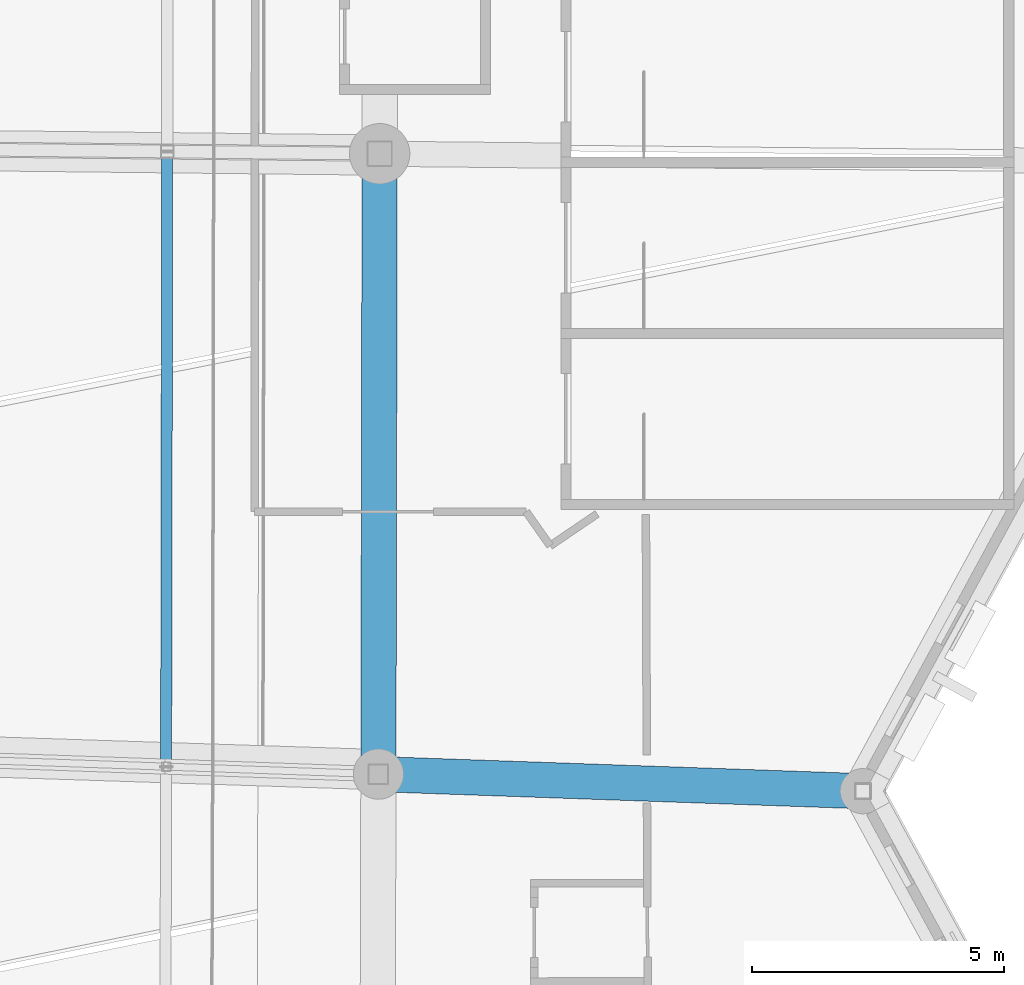
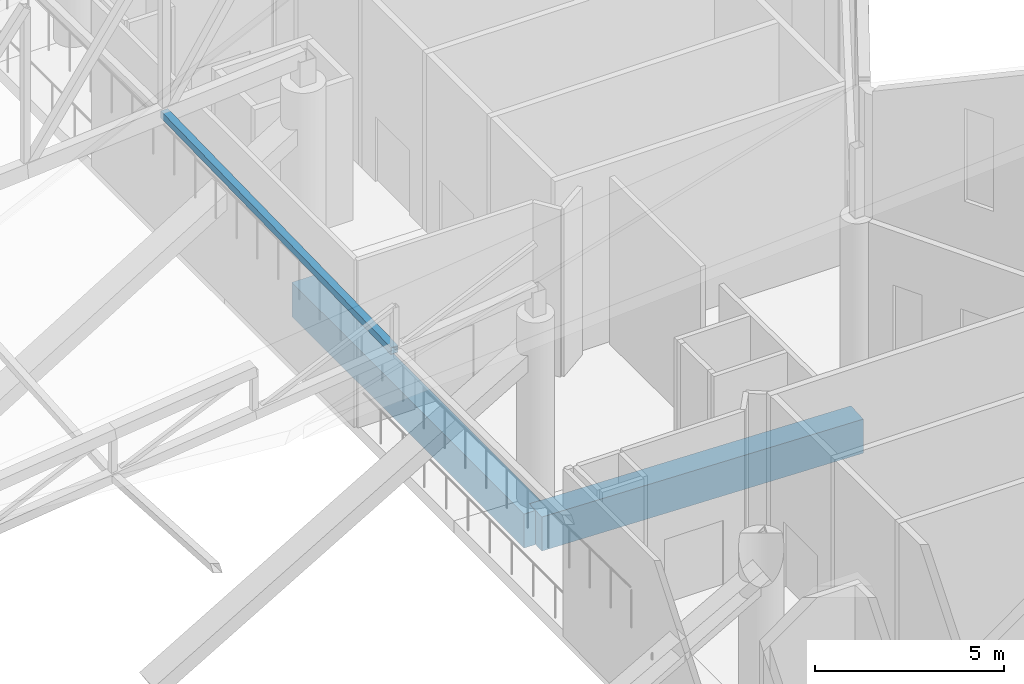
# One storey, part 105 of 344: 2 beams, 1 member.
"""IFC4 building model written with IfcOpenShell, lengths in metres."""

import ifcopenshell
import ifcopenshell.guid

model = None  # the IFC model being written
_history = None  # IfcOwnerHistory: only IFC2X3 demands one
_inside = {}  # id of a spatial element -> (the spatial element, [elements in it])
_under = {}  # id of a project, library or spatial element -> (it, [spatial elements below it])
_declared = {}  # id of a project -> (the project, [libraries it declares])
_typed = {}  # id of a type object -> (the type object, [elements of that type])
_made_of = {}  # id of a material, layer set ... -> (it, [elements and type objects made of it])


def new_model(schema):
    """Start an empty IFC model of exactly this schema.

    Asked for "IFC4X3", IfcOpenShell would pick the latest addendum, in which some entities
    have other attributes; the version numbers below select the first issue.
    IFC2X3 requires an IfcOwnerHistory on every rooted entity: one is made here for all.
    """
    global model, _history
    if schema == "IFC4X3":
        model = ifcopenshell.file(schema_version=(4, 3, 0, 0))
    else:
        model = ifcopenshell.file(schema=schema)
    _inside.clear()
    _under.clear()
    _declared.clear()
    _typed.clear()
    _made_of.clear()
    _history = None
    if model.schema == "IFC2X3":
        org = make("IfcOrganization", Name="unknown")
        user = make(
            "IfcPersonAndOrganization",
            ThePerson=make("IfcPerson", FamilyName="unknown"),
            TheOrganization=org,
        )
        app = make(
            "IfcApplication",
            ApplicationDeveloper=org,
            Version="unknown",
            ApplicationFullName="unknown",
            ApplicationIdentifier="unknown",
        )
        _history = make(
            "IfcOwnerHistory",
            OwningUser=user,
            OwningApplication=app,
            ChangeAction="ADDED",
            CreationDate=0,
        )
    return model


def make(cls, **values):
    """One entity of the class cls with the attributes given. An attribute that is None is left unset."""
    return model.create_entity(
        cls, **{name: value for name, value in values.items() if value is not None}
    )


def rooted(cls, **values):
    """An entity with a GlobalId (a new one), such as an element, a storey or a relation."""
    return make(cls, GlobalId=ifcopenshell.guid.new(), OwnerHistory=_history, **values)


def si_unit(unit_type, name, prefix=None):
    """IfcSIUnit, for example si_unit("LENGTHUNIT", "METRE", prefix="MILLI")."""
    return make("IfcSIUnit", UnitType=unit_type, Prefix=prefix, Name=name)


def assignment(units):
    """IfcUnitAssignment: the units of a project."""
    return None if units is None else make("IfcUnitAssignment", Units=units)


def point(xyz):
    """IfcCartesianPoint."""
    return None if xyz is None else make("IfcCartesianPoint", Coordinates=xyz)


def direction(xyz):
    """IfcDirection."""
    return None if xyz is None else make("IfcDirection", DirectionRatios=xyz)


def frame(location, z_axis=None, x_axis=None):
    """IfcAxis2Placement3D, a coordinate frame: its origin and axes. An axis left out is left unset."""
    return make(
        "IfcAxis2Placement3D",
        Location=point(location),
        Axis=direction(z_axis),
        RefDirection=direction(x_axis),
    )


def frame_2d(location, x_axis=None):
    """IfcAxis2Placement2D, a coordinate frame in the plane: its origin and x axis."""
    return make(
        "IfcAxis2Placement2D", Location=point(location), RefDirection=direction(x_axis)
    )


def origin():
    """The frame at (0, 0, 0) with its axes left unset."""
    return frame((0.0, 0.0, 0.0))


def origin_2d():
    """The frame at (0, 0) in the plane with its x axis left unset."""
    return frame_2d((0.0, 0.0))


def place(relative_to, where):
    """IfcLocalPlacement: puts the frame where relative to a parent placement (None: the world)."""
    return make(
        "IfcLocalPlacement", PlacementRelTo=relative_to, RelativePlacement=where
    )


def context(
    kind, dimensions, precision=None, world=None, true_north=None, identifier=None
):
    """IfcGeometricRepresentationContext, for example the 3D "Model" context."""
    return make(
        "IfcGeometricRepresentationContext",
        ContextIdentifier=identifier,
        ContextType=kind,
        CoordinateSpaceDimension=dimensions,
        Precision=precision,
        WorldCoordinateSystem=world,
        TrueNorth=true_north,
    )


def subcontext(parent, identifier, kind, view, scale=None):
    """IfcGeometricRepresentationSubContext, for example "Body" below "Model"."""
    return make(
        "IfcGeometricRepresentationSubContext",
        ContextIdentifier=identifier,
        ContextType=kind,
        ParentContext=parent,
        TargetScale=scale,
        TargetView=view,
    )


def project(units=None, contexts=None):
    """IfcProject with its units and contexts."""
    return rooted(
        "IfcProject",
        Name="project",
        RepresentationContexts=contexts,
        UnitsInContext=assignment(units),
    )


def spatial(cls, under=None, at=None, **own):
    """A site, building, storey or space (cls), placed at a placement, below another one or the project."""
    s = rooted(cls, ObjectPlacement=at, **own)
    if under is not None:
        _under.setdefault(under.id(), (under, []))[1].append(s)
    return s


def profile(cls, at=None, kind="AREA", **sizes):
    """A parametric profile (cls). Its sizes go by their IFC names, for example OverallWidth=200.0."""
    return make(cls, ProfileType=kind, Position=at, **sizes)


def rectangle(**sizes):
    """IfcRectangleProfileDef."""
    return profile("IfcRectangleProfileDef", **sizes)


def hollow_rectangle(**sizes):
    """IfcRectangleHollowProfileDef."""
    return profile("IfcRectangleHollowProfileDef", **sizes)


def extrude(swept, where, along, depth):
    """IfcExtrudedAreaSolid: the profile swept, set in the frame where, extruded along a direction by depth."""
    return make(
        "IfcExtrudedAreaSolid",
        SweptArea=swept,
        Position=where,
        ExtrudedDirection=direction(along),
        Depth=depth,
    )


def shape(context_of_items, identifier, shape_type, items):
    """IfcShapeRepresentation: the items that make up one representation, for example the "Body"."""
    return make(
        "IfcShapeRepresentation",
        ContextOfItems=context_of_items,
        RepresentationIdentifier=identifier,
        RepresentationType=shape_type,
        Items=items,
    )


def material(Name=None, Category=None):
    """IfcMaterial."""
    return make("IfcMaterial", Name=Name, Category=Category)


def material_profile(
    of_material, cross_section, Name=None, Category=None, Priority=None
):
    """IfcMaterialProfile: a cross section and its material."""
    return make(
        "IfcMaterialProfile",
        Name=Name,
        Material=of_material,
        Profile=cross_section,
        Priority=Priority,
        Category=Category,
    )


def profile_set(profiles, Name=None, composite=None):
    """IfcMaterialProfileSet."""
    return make(
        "IfcMaterialProfileSet",
        Name=Name,
        MaterialProfiles=profiles,
        CompositeProfile=composite,
    )


def made_of(thing, what):
    """Note that an element or type object is made of a material, layer set ...; save() writes the relation."""
    if what is not None:
        _made_of.setdefault(what.id(), (what, []))[1].append(thing)
    return thing


def type_object(cls, material=None, **own):
    """A type object (cls), such as IfcWallType, which elements share."""
    return made_of(rooted(cls, **own), material)


def element(
    cls,
    number,
    at=None,
    inside=None,
    cuts=None,
    type_object=None,
    material=None,
    context=None,
    identifier="Body",
    shape_type=None,
    held_by="IfcProductDefinitionShape",
    body=None,
    shapes=None,
    **own,
):
    """One element of the class cls, such as IfcWall. Its Tag is "e" and its number.

    at: its placement. inside: the storey or other place that contains it. cuts: it is an
    opening in that element (IfcRelVoidsElement). A single representation is given by context,
    identifier, shape_type and body (its items); several are given by shapes. held_by: the class
    of the entity that holds the representations. save() writes the other relations.
    """
    e = rooted(cls, Tag="e%d" % number, ObjectPlacement=at, **own)
    if body is not None:
        shapes = [shape(context, identifier, shape_type, body)]
    if shapes is not None:
        e.Representation = make(held_by, Representations=shapes)
    if inside is not None:
        _inside.setdefault(inside.id(), (inside, []))[1].append(e)
    if cuts is not None:
        rooted(
            "IfcRelVoidsElement", RelatingBuildingElement=cuts, RelatedOpeningElement=e
        )
    if type_object is not None:
        _typed.setdefault(type_object.id(), (type_object, []))[1].append(e)
    return made_of(e, material)


def aggregate(whole, parts):
    """IfcRelAggregates: a whole, such as a stair, and the parts it consists of."""
    return rooted("IfcRelAggregates", RelatingObject=whole, RelatedObjects=parts)


def save(model, path):
    """Write the relations noted so far, then the file.

    IfcRelAggregates (storeys below a building ...), IfcRelContainedInSpatialStructure (elements
    in a storey), IfcRelDefinesByType, IfcRelAssociatesMaterial and IfcRelDeclares: one each for
    every whole, place, type object, material and project.
    """
    for whole, parts in _under.values():
        aggregate(whole, parts)
    for where, things in _inside.values():
        rooted(
            "IfcRelContainedInSpatialStructure",
            RelatedElements=things,
            RelatingStructure=where,
        )
    for kind, things in _typed.values():
        rooted("IfcRelDefinesByType", RelatedObjects=things, RelatingType=kind)
    for what, things in _made_of.values():
        rooted("IfcRelAssociatesMaterial", RelatedObjects=things, RelatingMaterial=what)
    for by, libraries in _declared.values():
        rooted("IfcRelDeclares", RelatingContext=by, RelatedDefinitions=libraries)
    model.write(path)


model = new_model("IFC4")

# Units and contexts
model_context = context("Model", 3, precision=1e-05, world=origin(), true_north=direction((0.0, 1.0)))
body_context = subcontext(model_context, "Body", "Model", "MODEL_VIEW")
ifc_project = project(units=[si_unit("LENGTHUNIT", "METRE"), si_unit("AREAUNIT", "SQUARE_METRE"), si_unit("VOLUMEUNIT", "CUBIC_METRE"), si_unit("PLANEANGLEUNIT", "RADIAN"), si_unit("MASSUNIT", "GRAM", prefix="KILO")], contexts=[model_context])

# Site, building, storey
site_placement = place(None, origin())
site = spatial("IfcSite", under=ifc_project, at=site_placement, CompositionType="ELEMENT")
building_placement = place(site_placement, origin())
building = spatial("IfcBuilding", under=site, at=building_placement, Name="Meseta Stadium", CompositionType="ELEMENT")
storey_placement = place(building_placement, frame((0.0, 0.0, 24.0)))
storey = spatial("IfcBuildingStorey", under=building, at=storey_placement, Name="L04", CompositionType="ELEMENT", Elevation=24.0)

# Beams
ifc_material_1 = material(Name="Concrete C40/50", Category="concrete")
ifc_material_profile_1 = material_profile(ifc_material_1, rectangle(XDim=0.699951171875, YDim=1.10009765625, at=origin_2d()), Name="RC 700x1100")
ifc_profile_set_1 = profile_set([ifc_material_profile_1], Name="Concrete C40/50")
beam_type = type_object("IfcBeamType", Name="RC beam 700x1100", PredefinedType="BEAM", material=ifc_profile_set_1)
beam_1_placement = place(storey_placement, frame((84.97314453125, -18.41064453125, -0.949951171875), z_axis=(0.001980154927, 0.999998039491, 0.0), x_axis=(-0.999998039491, 0.001980154927, 0.0)))
element("IfcBeam", 1, at=beam_1_placement, inside=storey, type_object=beam_type, Name="L04 ring beam frame 3 line P", PredefinedType="BEAM", context=body_context, shape_type="SweptSolid", body=[
    extrude(rectangle(XDim=0.699951171875, YDim=1.10009765625, at=origin_2d()), origin(), (0.0, 0.0, 1.0), 12.329345703125),
])
beam_2_placement = place(storey_placement, frame((84.97314453125, -18.41064453125, -0.949951171875), z_axis=(0.999379277506, -0.035228677108, 0.0), x_axis=(0.035228677108, 0.999379277506, 0.0)))
element("IfcBeam", 2, at=beam_2_placement, inside=storey, type_object=beam_type, Name="L04 radial beam frame 3 line P to R", PredefinedType="BEAM", context=body_context, shape_type="SweptSolid", body=[
    extrude(rectangle(XDim=0.699951171875, YDim=1.10009765625, at=origin_2d()), origin(), (0.0, 0.0, 1.0), 9.6328125),
])

# Member
ifc_material_2 = material(Name="Steel S355", Category="steel")
ifc_material_profile_2 = material_profile(ifc_material_2, hollow_rectangle(XDim=0.219970703125, YDim=0.219970703125, WallThickness=0.008056640625, at=origin_2d()), Name="SHS 220x220x8")
ifc_profile_set_2 = profile_set([ifc_material_profile_2], Name="Steel S355")
member_type = type_object("IfcMemberType", Name="SHS 220x220x8 strut", PredefinedType="STRUT", material=ifc_profile_set_2)
member_placement = place(storey_placement, frame((80.75341796875, -18.261962890625, 6.1669921875), z_axis=(0.00181717204, 0.999824031395, 0.018670943485), x_axis=(-0.999998348366, 0.001817488859, 0.0)))
element("IfcMember", 3, at=member_placement, inside=storey, type_object=member_type, Name="ROOF TRUSS STRUT RT-03/04", PredefinedType="STRUT", context=body_context, shape_type="SweptSolid", body=[
    extrude(hollow_rectangle(XDim=0.219970703125, YDim=0.219970703125, WallThickness=0.008056640625, at=origin_2d()), origin(), (0.0, 0.0, 1.0), 12.22607421875),
])

save(model, "model.ifc")
